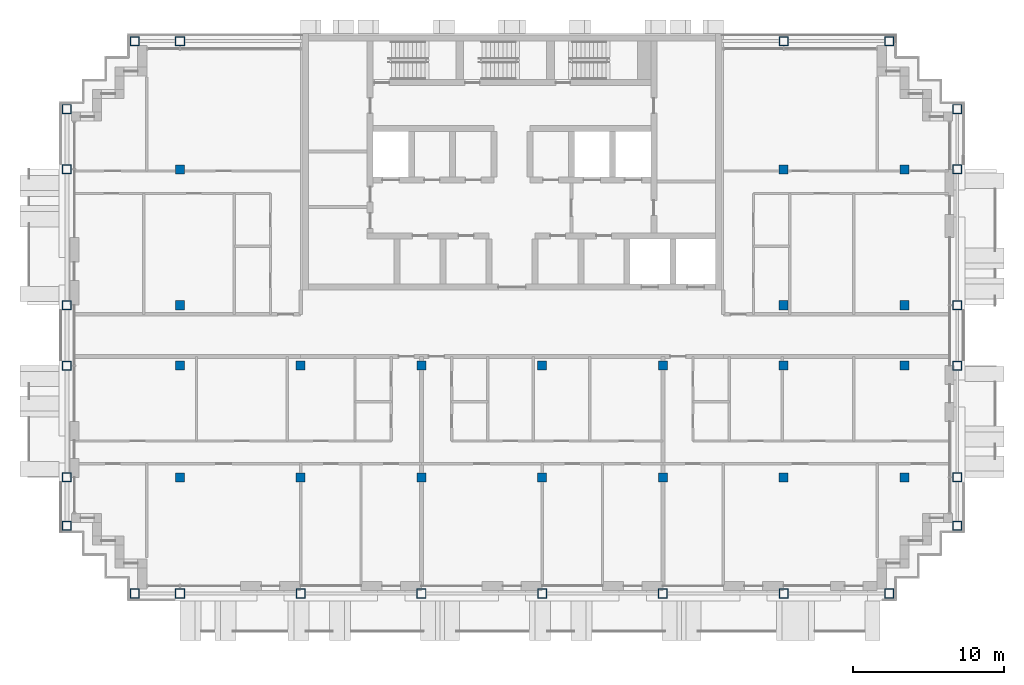
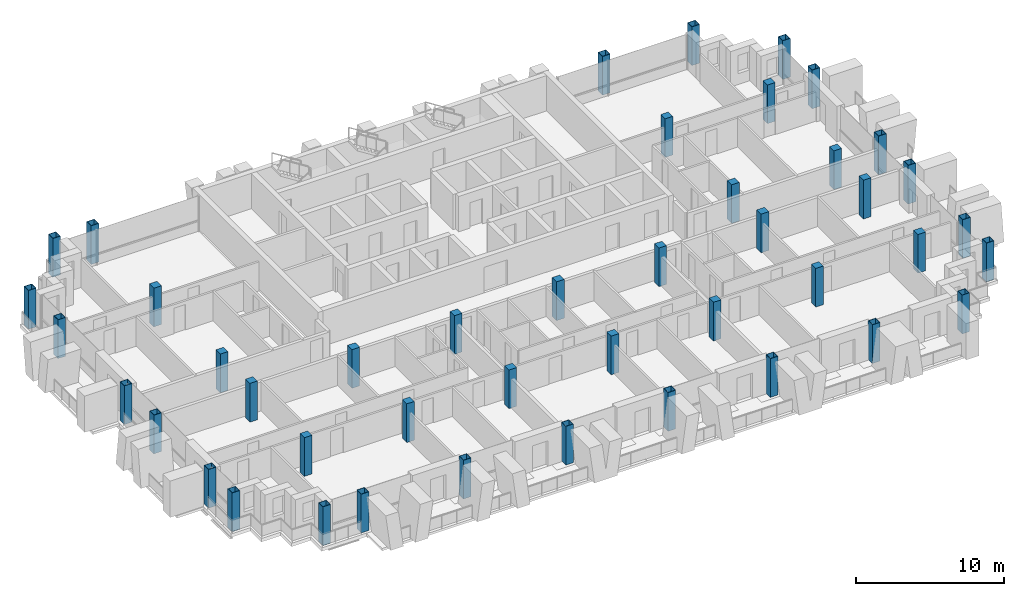
# One storey, part 1 of 15: 44 columns.
"""IFC4 building model written with IfcOpenShell, lengths in metres."""

from ifc_helpers import new_model, si_unit, direction, frame, origin, origin_2d, place, context, subcontext, project, spatial, rectangle, hollow_rectangle, extrude, material, material_profile, profile_set, type_object, element, save


model = new_model("IFC4")

# Units and contexts
model_context = context("Model", 3, precision=1e-05, world=origin(), true_north=direction((0.0, 1.0)))
body_context = subcontext(model_context, "Body", "Model", "MODEL_VIEW")
ifc_project = project(units=[si_unit("LENGTHUNIT", "METRE"), si_unit("AREAUNIT", "SQUARE_METRE"), si_unit("VOLUMEUNIT", "CUBIC_METRE"), si_unit("PLANEANGLEUNIT", "RADIAN"), si_unit("MASSUNIT", "GRAM", prefix="KILO")], contexts=[model_context])

# Site, building, storey
site_placement = place(None, origin())
site = spatial("IfcSite", under=ifc_project, at=site_placement, CompositionType="ELEMENT")
building_placement = place(site_placement, origin())
building = spatial("IfcBuilding", under=site, at=building_placement, Name="Vidyagriha Tower", CompositionType="ELEMENT")
storey_placement = place(building_placement, frame((0.0, 0.0, 226.800048828125)))
storey = spatial("IfcBuildingStorey", under=building, at=storey_placement, Name="L59", CompositionType="ELEMENT", Elevation=226.800048828125)

# Columns
ifc_material_1 = material(Name="Steel ASTM A572 Grade 50", Category="steel")
ifc_material_profile_1 = material_profile(ifc_material_1, hollow_rectangle(XDim=0.60009765625, YDim=0.60009765625, WallThickness=0.030029296875, at=origin_2d()), Name="BOX 600x600x30")
ifc_profile_set_1 = profile_set([ifc_material_profile_1], Name="Steel ASTM A572 Grade 50")
column_type_1 = type_object("IfcColumnType", Name="Exoskeleton column BOX 600x600x30", PredefinedType="COLUMN", material=ifc_profile_set_1)
for number, where, name in (
    (1, (-25.0, -17.10009765625, 0.0), "st-col-L59-B5-001"),
    (2, (-22.0, -17.10009765625, 0.0), "st-col-L59-B5-002"),
    (3, (-14.0, -17.10009765625, 0.0), "st-col-L59-B5-003"),
    (4, (-6.0, -17.10009765625, 0.0), "st-col-L59-B5-004"),
    (5, (2.0, -17.10009765625, 0.0), "st-col-L59-B5-005"),
    (6, (10.0, -17.10009765625, 0.0), "st-col-L59-B5-006"),
    (7, (18.0, -17.10009765625, 0.0), "st-col-L59-B5-007"),
    (8, (25.0, -17.10009765625, 0.0), "st-col-L59-B5-008"),
    (9, (-29.5, -12.60009765625, 0.0), "st-col-L59-B5-009"),
    (10, (29.5, -12.60009765625, 0.0), "st-col-L59-B5-010"),
    (11, (-29.5, -9.39990234375, 0.0), "st-col-L59-B5-011"),
    (12, (29.5, -9.39990234375, 0.0), "st-col-L59-B5-019"),
    (13, (-29.5, -2.0, 0.0), "st-col-L59-B5-020"),
    (14, (29.5, -2.0, 0.0), "st-col-L59-B5-028"),
    (15, (-29.5, 2.0, 0.0), "st-col-L59-B5-029"),
    (16, (29.5, 2.0, 0.0), "st-col-L59-B5-033"),
    (17, (-29.5, 11.0, 0.0), "st-col-L59-B5-034"),
    (18, (29.5, 11.0, 0.0), "st-col-L59-B5-038"),
    (19, (-29.5, 15.0, 0.0), "st-col-L59-B5-039"),
    (20, (29.5, 15.0, 0.0), "st-col-L59-B5-040"),
    (21, (-25.0, 19.5, 0.0), "st-col-L59-B5-041"),
    (22, (-22.0, 19.5, 0.0), "st-col-L59-B5-042"),
    (23, (18.0, 19.5, 0.0), "st-col-L59-B5-043"),
    (24, (25.0, 19.5, 0.0), "st-col-L59-B5-044"),
):
    element("IfcColumn", number, at=place(storey_placement, frame(where)), inside=storey, type_object=column_type_1, Name=name, PredefinedType="COLUMN", context=body_context, shape_type="SweptSolid", body=[
        extrude(hollow_rectangle(XDim=0.60009765625, YDim=0.60009765625, WallThickness=0.030029296875, at=origin_2d()), origin(), (0.0, 0.0, 1.0), 3.199951171875),
    ])
ifc_material_2 = material(Name="Concrete C60/75", Category="concrete")
ifc_material_profile_2 = material_profile(ifc_material_2, rectangle(XDim=0.60009765625, YDim=0.60009765625, at=origin_2d()), Name="RC 600x600")
ifc_profile_set_2 = profile_set([ifc_material_profile_2], Name="Concrete C60/75")
column_type_2 = type_object("IfcColumnType", Name="Frame column RC 600x600", PredefinedType="COLUMN", material=ifc_profile_set_2)
for number, where, name in (
    (25, (-22.0, -9.39990234375, 0.0), "st-col-L59-B5-012"),
    (26, (-14.0, -9.39990234375, 0.0), "st-col-L59-B5-013"),
    (27, (-6.0, -9.39990234375, 0.0), "st-col-L59-B5-014"),
    (28, (2.0, -9.39990234375, 0.0), "st-col-L59-B5-015"),
    (29, (10.0, -9.39990234375, 0.0), "st-col-L59-B5-016"),
    (30, (18.0, -9.39990234375, 0.0), "st-col-L59-B5-017"),
    (31, (26.0, -9.39990234375, 0.0), "st-col-L59-B5-018"),
    (32, (-22.0, -2.0, 0.0), "st-col-L59-B5-021"),
    (33, (-14.0, -2.0, 0.0), "st-col-L59-B5-022"),
    (34, (-6.0, -2.0, 0.0), "st-col-L59-B5-023"),
    (35, (2.0, -2.0, 0.0), "st-col-L59-B5-024"),
    (36, (10.0, -2.0, 0.0), "st-col-L59-B5-025"),
    (37, (18.0, -2.0, 0.0), "st-col-L59-B5-026"),
    (38, (26.0, -2.0, 0.0), "st-col-L59-B5-027"),
    (39, (-22.0, 2.0, 0.0), "st-col-L59-B5-030"),
    (40, (18.0, 2.0, 0.0), "st-col-L59-B5-031"),
    (41, (26.0, 2.0, 0.0), "st-col-L59-B5-032"),
    (42, (-22.0, 11.0, 0.0), "st-col-L59-B5-035"),
    (43, (18.0, 11.0, 0.0), "st-col-L59-B5-036"),
    (44, (26.0, 11.0, 0.0), "st-col-L59-B5-037"),
):
    element("IfcColumn", number, at=place(storey_placement, frame(where)), inside=storey, type_object=column_type_2, Name=name, PredefinedType="COLUMN", context=body_context, shape_type="SweptSolid", body=[
        extrude(rectangle(XDim=0.60009765625, YDim=0.60009765625, at=origin_2d()), origin(), (0.0, 0.0, 1.0), 3.199951171875),
    ])

save(model, "model.ifc")
